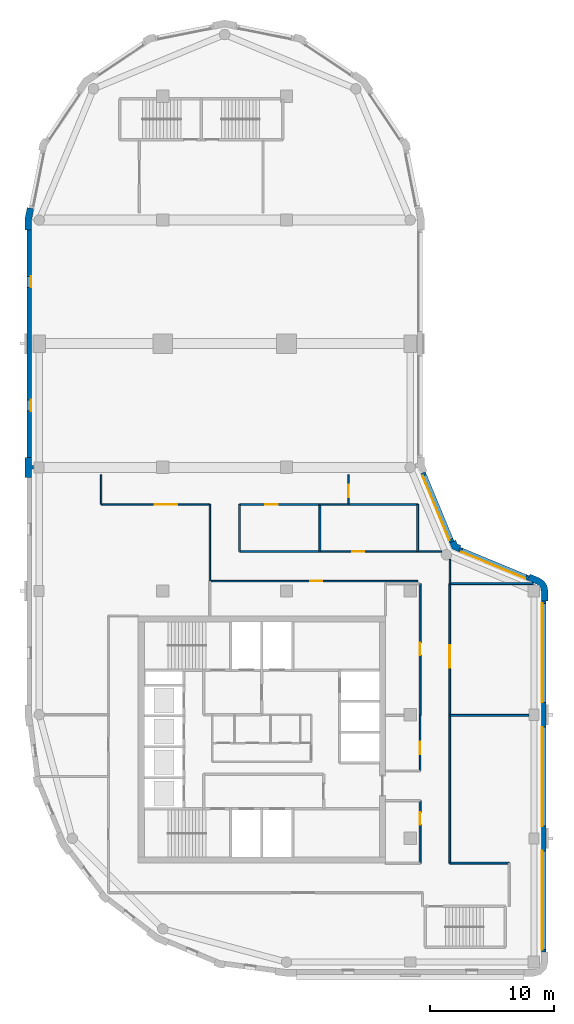
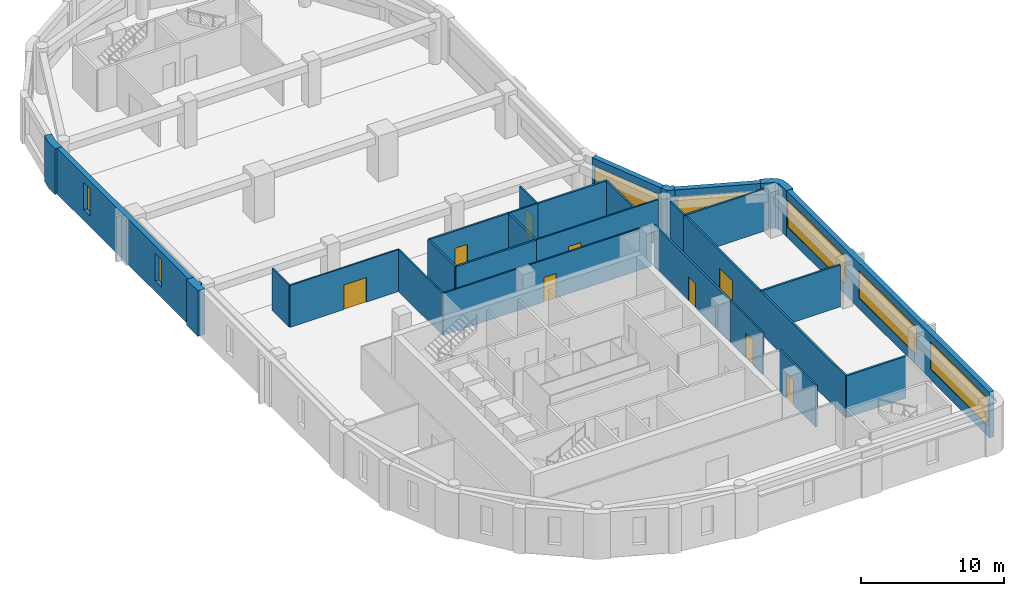
# One storey, part 4 of 8: 29 walls, 9 doors, 7 windows, 16 openings.
"""IFC4 building model written with IfcOpenShell, lengths in metres."""

from ifc_helpers import new_model, si_unit, direction, frame, frame_2d, origin, place, context, subcontext, project, spatial, polyline, rectangle, outline, extrude, material, layer, layer_set, type_object, element, fill, save


model = new_model("IFC4")

# Units and contexts
model_context = context("Model", 3, precision=1e-05, world=origin(), true_north=direction((0.0, 1.0)))
body_context = subcontext(model_context, "Body", "Model", "MODEL_VIEW")
ifc_project = project(units=[si_unit("LENGTHUNIT", "METRE"), si_unit("AREAUNIT", "SQUARE_METRE"), si_unit("VOLUMEUNIT", "CUBIC_METRE"), si_unit("PLANEANGLEUNIT", "RADIAN"), si_unit("MASSUNIT", "GRAM", prefix="KILO")], contexts=[model_context])

# Site, building, storey
site_placement = place(None, origin())
site = spatial("IfcSite", under=ifc_project, at=site_placement, CompositionType="ELEMENT")
building_placement = place(site_placement, origin())
building = spatial("IfcBuilding", under=site, at=building_placement, Name="Qaws Garden Tower", CompositionType="ELEMENT")
storey_placement = place(building_placement, frame((0.0, 0.0, 313.800048828125)))
storey = spatial("IfcBuildingStorey", under=building, at=storey_placement, Name="L76", CompositionType="ELEMENT", Elevation=313.800048828125)

# Wall
ifc_material_1 = material(Name="Clay facing brick masonry", Category="masonry")
ifc_layer_1 = layer(ifc_material_1, 0.550048828125)
ifc_layer_set_1 = layer_set([ifc_layer_1], Name="Clay facing brick masonry")
wall_type_1 = type_object("IfcWallType", Name="Brick corner pier 550 x 2400", PredefinedType="SOLIDWALL", material=ifc_layer_set_1)
placement = place(storey_placement, origin())
element("IfcWall", 1, at=placement, inside=storey, type_object=wall_type_1, Name="E-L76-pier-05", PredefinedType="SOLIDWALL", context=body_context, shape_type="SweptSolid", body=[
    extrude(outline(polyline([(41.0, 29.199951171875), (41.14990234375, 29.199951171875), (41.14990234375, 30.0), (41.0625, 30.440185546875), (40.813232421875, 30.813232421875), (40.440185546875, 31.0625), (39.700927734375, 31.36865234375), (39.6435546875, 31.22998046875), (39.490478515625, 30.860595703125), (40.2294921875, 30.554443359375), (40.42431640625, 30.42431640625), (40.554443359375, 30.2294921875), (40.60009765625, 30.0), (40.60009765625, 29.199951171875), (41.0, 29.199951171875)])), origin(), (0.0, 0.0, 1.0), 3.89990234375),
])

# Wall, openings, windows
ifc_material_2 = material(Name="Clay facing brick masonry", Category="masonry")
ifc_layer_2 = layer(ifc_material_2, 0.39990234375)
ifc_layer_set_2 = layer_set([ifc_layer_2], Name="Clay facing brick masonry")
wall_type_2 = type_object("IfcWallType", Name="Brick infill wall 400", PredefinedType="SOLIDWALL", material=ifc_layer_set_2)
wall_2_placement = place(storey_placement, frame((40.800048828125, 0.800048828125, 0.0), z_axis=(0.0, 0.0, 1.0), x_axis=(0.0, 1.0, 0.0)))
wall_2 = element("IfcWall", 2, at=wall_2_placement, inside=storey, type_object=wall_type_2, Name="E-L76-infill-02", PredefinedType="SOLIDWALL", context=body_context, shape_type="SweptSolid", body=[
    extrude(rectangle(XDim=28.39990234375, YDim=0.39990234375, at=frame_2d((14.199951171875, 0.0))), origin(), (0.0, 0.0, 1.0), 3.89990234375),
])
opening_1_placement = place(wall_2_placement, frame((0.199951171875, 0.0, 0.89990234375)))
opening_1 = element("IfcOpeningElement", 3, at=opening_1_placement, cuts=wall_2, Name="Opening W01", PredefinedType="OPENING", context=body_context, shape_type="SweptSolid", body=[
    extrude(rectangle(XDim=8.0, YDim=2.35009765625, at=frame_2d((4.0, 1.175048828125))), frame((0.0, 0.2099609375, 0.0), z_axis=(0.0, -1.0, 0.0), x_axis=(1.0, 0.0, 0.0)), (0.0, 0.0, 1.0), 0.419921875),
])
opening_2_placement = place(wall_2_placement, frame((10.199951171875, 0.0, 0.89990234375)))
opening_2 = element("IfcOpeningElement", 4, at=opening_2_placement, cuts=wall_2, Name="Opening W01", PredefinedType="OPENING", context=body_context, shape_type="SweptSolid", body=[
    extrude(rectangle(XDim=8.0, YDim=2.35009765625, at=frame_2d((4.0, 1.175048828125))), frame((0.0, 0.2099609375, 0.0), z_axis=(0.0, -1.0, 0.0), x_axis=(1.0, 0.0, 0.0)), (0.0, 0.0, 1.0), 0.419921875),
])
opening_3_placement = place(wall_2_placement, frame((20.199951171875, 0.0, 0.89990234375)))
opening_3 = element("IfcOpeningElement", 5, at=opening_3_placement, cuts=wall_2, Name="Opening W01", PredefinedType="OPENING", context=body_context, shape_type="SweptSolid", body=[
    extrude(rectangle(XDim=8.0, YDim=2.35009765625, at=frame_2d((4.0, 1.175048828125))), frame((0.0, 0.2099609375, 0.0), z_axis=(0.0, -1.0, 0.0), x_axis=(1.0, 0.0, 0.0)), (0.0, 0.0, 1.0), 0.419921875),
])
ifc_material_3 = material(Name="Aluminium framed window, clear glazing", Category="aluminium")
window_type_1 = type_object("IfcWindowType", Name="Ribbon window 8000 x 2350", PartitioningType="DOUBLE_PANEL_VERTICAL", PredefinedType="WINDOW", material=ifc_material_3)
window_1_placement = place(opening_1_placement, origin())
window_1 = element("IfcWindow", 6, at=window_1_placement, inside=storey, type_object=window_type_1, Name="E-L76-window-02-0", OverallHeight=2.35009765625, OverallWidth=8.0, PartitioningType="SINGLE_PANEL", PredefinedType="WINDOW", context=body_context, shape_type="SweptSolid", body=[
    extrude(rectangle(XDim=8.0, YDim=2.35009765625, at=frame_2d((4.0, 1.175048828125))), frame((0.0, 0.159912109375, 0.0), z_axis=(0.0, -1.0, 0.0), x_axis=(1.0, 0.0, 0.0)), (0.0, 0.0, 1.0), 0.06005859375),
])
fill(opening_1, window_1)
window_2_placement = place(opening_2_placement, origin())
window_2 = element("IfcWindow", 7, at=window_2_placement, inside=storey, type_object=window_type_1, Name="E-L76-window-03-0", OverallHeight=2.35009765625, OverallWidth=8.0, PartitioningType="SINGLE_PANEL", PredefinedType="WINDOW", context=body_context, shape_type="SweptSolid", body=[
    extrude(rectangle(XDim=8.0, YDim=2.35009765625, at=frame_2d((4.0, 1.175048828125))), frame((0.0, 0.159912109375, 0.0), z_axis=(0.0, -1.0, 0.0), x_axis=(1.0, 0.0, 0.0)), (0.0, 0.0, 1.0), 0.06005859375),
])
fill(opening_2, window_2)
window_3_placement = place(opening_3_placement, origin())
window_3 = element("IfcWindow", 8, at=window_3_placement, inside=storey, type_object=window_type_1, Name="E-L76-window-04-0", OverallHeight=2.35009765625, OverallWidth=8.0, PartitioningType="SINGLE_PANEL", PredefinedType="WINDOW", context=body_context, shape_type="SweptSolid", body=[
    extrude(rectangle(XDim=8.0, YDim=2.35009765625, at=frame_2d((4.0, 1.175048828125))), frame((0.0, 0.159912109375, 0.0), z_axis=(0.0, -1.0, 0.0), x_axis=(1.0, 0.0, 0.0)), (0.0, 0.0, 1.0), 0.06005859375),
])
fill(opening_3, window_3)

# Wall, opening, window
wall_3_placement = place(storey_placement, frame((39.56689453125, 31.04541015625, 0.0), z_axis=(0.0, 0.0, 1.0), x_axis=(-0.923891000409, 0.382655745237, 0.0)))
wall_3 = element("IfcWall", 9, at=wall_3_placement, inside=storey, type_object=wall_type_2, Name="E-L76-infill-05", PredefinedType="SOLIDWALL", context=body_context, shape_type="SweptSolid", body=[
    extrude(rectangle(XDim=6.053466796875, YDim=0.39990234375, at=frame_2d((3.02685546875, 0.0))), origin(), (0.0, 0.0, 1.0), 3.89990234375),
])
opening_4_placement = place(wall_3_placement, frame((0.226806640625, 0.0, 0.89990234375)))
opening_4 = element("IfcOpeningElement", 10, at=opening_4_placement, cuts=wall_3, Name="Opening W04", PredefinedType="OPENING", context=body_context, shape_type="SweptSolid", body=[
    extrude(rectangle(XDim=5.60009765625, YDim=2.35009765625, at=frame_2d((2.800048828125, 1.175048828125))), frame((0.0, 0.2099609375, 0.0), z_axis=(0.0, -1.0, 0.0), x_axis=(1.0, 0.0, 0.0)), (0.0, 0.0, 1.0), 0.419921875),
])
ifc_material_4 = material(Name="Aluminium framed window, clear glazing", Category="aluminium")
window_type_2 = type_object("IfcWindowType", Name="Ribbon window 5600 x 2350", PartitioningType="DOUBLE_PANEL_VERTICAL", PredefinedType="WINDOW", material=ifc_material_4)
window_4_placement = place(opening_4_placement, origin())
window_4 = element("IfcWindow", 11, at=window_4_placement, inside=storey, type_object=window_type_2, Name="E-L76-window-05-0", OverallHeight=2.35009765625, OverallWidth=5.60009765625, PartitioningType="SINGLE_PANEL", PredefinedType="WINDOW", context=body_context, shape_type="SweptSolid", body=[
    extrude(rectangle(XDim=5.60009765625, YDim=2.35009765625, at=frame_2d((2.800048828125, 1.175048828125))), frame((0.0, 0.159912109375, 0.0), z_axis=(0.0, -1.0, 0.0), x_axis=(1.0, 0.0, 0.0)), (0.0, 0.0, 1.0), 0.06005859375),
])
fill(opening_4, window_4)

wall_4_placement = place(storey_placement, frame((33.36181640625, 33.97412109375, 0.0), z_axis=(0.0, 0.0, 1.0), x_axis=(-0.382655745237, 0.923891000409, 0.0)))
wall_4 = element("IfcWall", 12, at=wall_4_placement, inside=storey, type_object=wall_type_2, Name="E-L76-infill-06", PredefinedType="SOLIDWALL", context=body_context, shape_type="SweptSolid", body=[
    extrude(rectangle(XDim=6.053466796875, YDim=0.39990234375, at=frame_2d((3.02685546875, 0.0))), origin(), (0.0, 0.0, 1.0), 3.89990234375),
])
opening_5_placement = place(wall_4_placement, frame((0.226806640625, 0.0, 0.89990234375)))
opening_5 = element("IfcOpeningElement", 13, at=opening_5_placement, cuts=wall_4, Name="Opening W04", PredefinedType="OPENING", context=body_context, shape_type="SweptSolid", body=[
    extrude(rectangle(XDim=5.60009765625, YDim=2.35009765625, at=frame_2d((2.800048828125, 1.175048828125))), frame((0.0, 0.2099609375, 0.0), z_axis=(0.0, -1.0, 0.0), x_axis=(1.0, 0.0, 0.0)), (0.0, 0.0, 1.0), 0.419921875),
])
window_5_placement = place(opening_5_placement, origin())
window_5 = element("IfcWindow", 14, at=window_5_placement, inside=storey, type_object=window_type_2, Name="E-L76-window-06-0", OverallHeight=2.35009765625, OverallWidth=5.60009765625, PartitioningType="SINGLE_PANEL", PredefinedType="WINDOW", context=body_context, shape_type="SweptSolid", body=[
    extrude(rectangle(XDim=5.60009765625, YDim=2.35009765625, at=frame_2d((2.800048828125, 1.175048828125))), frame((0.0, 0.159912109375, 0.0), z_axis=(0.0, -1.0, 0.0), x_axis=(1.0, 0.0, 0.0)), (0.0, 0.0, 1.0), 0.06005859375),
])
fill(opening_5, window_5)

# Wall, openings, windows
wall_5_placement = place(storey_placement, frame((-0.800048828125, 59.199951171875, 0.0), z_axis=(0.0, 0.0, 1.0), x_axis=(0.0, -1.0, 0.0)))
wall_5 = element("IfcWall", 15, at=wall_5_placement, inside=storey, type_object=wall_type_2, Name="E-L76-infill-17", PredefinedType="SOLIDWALL", context=body_context, shape_type="SweptSolid", body=[
    extrude(rectangle(XDim=18.39990234375, YDim=0.39990234375, at=frame_2d((9.199951171875, 0.0))), origin(), (0.0, 0.0, 1.0), 3.89990234375),
])
opening_6_placement = place(wall_5_placement, frame((3.75, 0.0, 0.89990234375)))
opening_6 = element("IfcOpeningElement", 16, at=opening_6_placement, cuts=wall_5, Name="Opening W09", PredefinedType="OPENING", context=body_context, shape_type="SweptSolid", body=[
    extrude(rectangle(XDim=0.89990234375, YDim=2.35009765625, at=frame_2d((0.449951171875, 1.175048828125))), frame((0.0, 0.2099609375, 0.0), z_axis=(0.0, -1.0, 0.0), x_axis=(1.0, 0.0, 0.0)), (0.0, 0.0, 1.0), 0.419921875),
])
opening_7_placement = place(wall_5_placement, frame((13.75, 0.0, 0.89990234375)))
opening_7 = element("IfcOpeningElement", 17, at=opening_7_placement, cuts=wall_5, Name="Opening W09", PredefinedType="OPENING", context=body_context, shape_type="SweptSolid", body=[
    extrude(rectangle(XDim=0.89990234375, YDim=2.35009765625, at=frame_2d((0.449951171875, 1.175048828125))), frame((0.0, 0.2099609375, 0.0), z_axis=(0.0, -1.0, 0.0), x_axis=(1.0, 0.0, 0.0)), (0.0, 0.0, 1.0), 0.419921875),
])
ifc_material_5 = material(Name="Aluminium framed window, clear glazing", Category="aluminium")
window_type_3 = type_object("IfcWindowType", Name="Slit window 900 x 2350", PartitioningType="SINGLE_PANEL", PredefinedType="WINDOW", material=ifc_material_5)
window_6_placement = place(opening_6_placement, origin())
window_6 = element("IfcWindow", 18, at=window_6_placement, inside=storey, type_object=window_type_3, Name="E-L76-window-17-0", OverallHeight=2.35009765625, OverallWidth=0.89990234375, PartitioningType="SINGLE_PANEL", PredefinedType="WINDOW", context=body_context, shape_type="SweptSolid", body=[
    extrude(rectangle(XDim=0.89990234375, YDim=2.35009765625, at=frame_2d((0.449951171875, 1.175048828125))), frame((0.0, 0.159912109375, 0.0), z_axis=(0.0, -1.0, 0.0), x_axis=(1.0, 0.0, 0.0)), (0.0, 0.0, 1.0), 0.06005859375),
])
fill(opening_6, window_6)
window_7_placement = place(opening_7_placement, origin())
window_7 = element("IfcWindow", 19, at=window_7_placement, inside=storey, type_object=window_type_3, Name="E-L76-window-18-0", OverallHeight=2.35009765625, OverallWidth=0.89990234375, PartitioningType="SINGLE_PANEL", PredefinedType="WINDOW", context=body_context, shape_type="SweptSolid", body=[
    extrude(rectangle(XDim=0.89990234375, YDim=2.35009765625, at=frame_2d((0.449951171875, 1.175048828125))), frame((0.0, 0.159912109375, 0.0), z_axis=(0.0, -1.0, 0.0), x_axis=(1.0, 0.0, 0.0)), (0.0, 0.0, 1.0), 0.06005859375),
])
fill(opening_7, window_7)

# Walls
ifc_material_6 = material(Name="Clay facing brick masonry", Category="masonry")
ifc_layer_3 = layer(ifc_material_6, 0.550048828125)
ifc_layer_set_3 = layer_set([ifc_layer_3], Name="Clay facing brick masonry")
wall_type_3 = type_object("IfcWallType", Name="Brick pier 550 x 1600", PredefinedType="SOLIDWALL", material=ifc_layer_set_3)
element("IfcWall", 20, at=placement, inside=storey, type_object=wall_type_3, Name="E-L76-pier-06", PredefinedType="SOLIDWALL", context=body_context, shape_type="SweptSolid", body=[
    extrude(outline(polyline([(34.05078125, 33.546630859375), (34.108154296875, 33.685302734375), (33.80908203125, 33.80908203125), (33.685302734375, 34.108154296875), (33.546630859375, 34.05078125), (33.177001953125, 33.897705078125), (33.38818359375, 33.38818359375), (33.897705078125, 33.177001953125), (34.05078125, 33.546630859375)])), origin(), (0.0, 0.0, 1.0), 3.89990234375),
])
element("IfcWall", 21, at=placement, inside=storey, type_object=wall_type_3, Name="E-L76-pier-17", PredefinedType="SOLIDWALL", context=body_context, shape_type="SweptSolid", body=[
    extrude(outline(polyline([(-0.82470703125, 60.979736328125), (-0.971923828125, 61.009033203125), (-1.14990234375, 60.11328125), (-1.14990234375, 59.199951171875), (-1.0, 59.199951171875), (-0.60009765625, 59.199951171875), (-0.60009765625, 60.05908203125), (-0.432373046875, 60.901611328125), (-0.82470703125, 60.979736328125)])), origin(), (0.0, 0.0, 1.0), 3.89990234375),
])
element("IfcWall", 22, at=placement, inside=storey, type_object=wall_type_3, Name="E-L76-pier-19", PredefinedType="SOLIDWALL", context=body_context, shape_type="SweptSolid", body=[
    extrude(outline(polyline([(-0.60009765625, 39.199951171875), (-0.60009765625, 39.85009765625), (-0.449951171875, 39.85009765625), (-0.449951171875, 40.14990234375), (-0.60009765625, 40.14990234375), (-0.60009765625, 40.800048828125), (-1.0, 40.800048828125), (-1.14990234375, 40.800048828125), (-1.14990234375, 40.0), (-1.14990234375, 39.199951171875), (-1.0, 39.199951171875), (-0.60009765625, 39.199951171875)])), origin(), (0.0, 0.0, 1.0), 3.89990234375),
])
ifc_material_7 = material(Name="Glass and aluminium framing", Category="aluminium")
ifc_layer_4 = layer(ifc_material_7, 0.1201171875)
ifc_layer_set_4 = layer_set([ifc_layer_4], Name="Glass and aluminium framing")
wall_type_4 = type_object("IfcWallType", Name="GLAZED PARTITION 120 EI 30", PredefinedType="PARTITIONING", material=ifc_layer_set_4)
wall_9_placement = place(storey_placement, frame((5.0, 37.0, 0.0), z_axis=(0.0, 0.0, 1.0), x_axis=(0.0, 1.0, 0.0)))
element("IfcWall", 23, at=wall_9_placement, inside=storey, type_object=wall_type_4, Name="O-L76-wall-027", PredefinedType="PARTITIONING", context=body_context, shape_type="SweptSolid", body=[
    extrude(rectangle(XDim=2.39990234375, YDim=0.1201171875, at=frame_2d((1.199951171875, 0.0))), origin(), (0.0, 0.0, 1.0), 3.579833984375),
])
wall_10_placement = place(storey_placement, frame((13.800048828125, 30.800048828125, 0.0), z_axis=(0.0, 0.0, 1.0), x_axis=(0.0, 1.0, 0.0)))
element("IfcWall", 24, at=wall_10_placement, inside=storey, type_object=wall_type_4, Name="O-L76-wall-029", PredefinedType="PARTITIONING", context=body_context, shape_type="SweptSolid", body=[
    extrude(rectangle(XDim=6.199951171875, YDim=0.1201171875, at=frame_2d((3.10009765625, 0.0))), origin(), (0.0, 0.0, 1.0), 3.579833984375),
])

# Wall, opening, door
wall_11_placement = place(storey_placement, frame((25.0, 37.0, 0.0), z_axis=(0.0, 0.0, 1.0), x_axis=(0.0, 1.0, 0.0)))
wall_11 = element("IfcWall", 25, at=wall_11_placement, inside=storey, type_object=wall_type_4, Name="O-L76-wall-030", PredefinedType="PARTITIONING", context=body_context, shape_type="SweptSolid", body=[
    extrude(rectangle(XDim=2.39990234375, YDim=0.1201171875, at=frame_2d((1.199951171875, 0.0))), origin(), (0.0, 0.0, 1.0), 3.579833984375),
])
opening_8_placement = place(wall_11_placement, frame((0.60009765625, 0.0, 0.0)))
opening_8 = element("IfcOpeningElement", 26, at=opening_8_placement, cuts=wall_11, Name="Opening C7P04", PredefinedType="OPENING", context=body_context, shape_type="SweptSolid", body=[
    extrude(rectangle(XDim=1.0, YDim=2.10009765625, at=frame_2d((0.5, 1.050048828125))), frame((0.0, 0.070068359375, 0.0), z_axis=(0.0, -1.0, 0.0), x_axis=(1.0, 0.0, 0.0)), (0.0, 0.0, 1.0), 0.14013671875),
])
ifc_material_8 = material(Name="Timber door leaf", Category="wood")
door_type_1 = type_object("IfcDoorType", Name="TENANCY ENTRANCE DOOR 1000 X 2100", OperationType="SINGLE_SWING_LEFT", PredefinedType="DOOR", material=ifc_material_8)
door_1_placement = place(opening_8_placement, frame((1.0, 0.0, 0.0), z_axis=(0.0, 0.0, 1.0), x_axis=(-1.0, 0.0, 0.0)))
door_1 = element("IfcDoor", 27, at=door_1_placement, inside=storey, type_object=door_type_1, Name="O-L76-door-004", OperationType="SINGLE_SWING_RIGHT", OverallHeight=2.10009765625, OverallWidth=1.0, PredefinedType="DOOR", context=body_context, shape_type="SweptSolid", body=[
    extrude(rectangle(XDim=1.0, YDim=2.10009765625, at=frame_2d((0.5, 1.050048828125))), frame((0.0, 0.02490234375, 0.0), z_axis=(0.0, -1.0, 0.0), x_axis=(1.0, 0.0, 0.0)), (0.0, 0.0, 1.0), 0.050048828125),
])
fill(opening_8, door_1)

wall_12_placement = place(storey_placement, frame((30.800048828125, 15.449951171875, 0.0), z_axis=(0.0, 0.0, 1.0), x_axis=(0.0, 1.0, 0.0)))
wall_12 = element("IfcWall", 28, at=wall_12_placement, inside=storey, type_object=wall_type_4, Name="O-L76-wall-031", PredefinedType="PARTITIONING", context=body_context, shape_type="SweptSolid", body=[
    extrude(rectangle(XDim=4.5, YDim=0.1201171875, at=frame_2d((2.25, 0.0))), origin(), (0.0, 0.0, 1.0), 3.579833984375),
])
opening_9_placement = place(wall_12_placement, frame((1.35009765625, 0.0, 0.0)))
opening_9 = element("IfcOpeningElement", 29, at=opening_9_placement, cuts=wall_12, Name="Opening C7P07", PredefinedType="OPENING", context=body_context, shape_type="SweptSolid", body=[
    extrude(rectangle(XDim=1.0, YDim=2.10009765625, at=frame_2d((0.5, 1.050048828125))), frame((0.0, 0.070068359375, 0.0), z_axis=(0.0, -1.0, 0.0), x_axis=(1.0, 0.0, 0.0)), (0.0, 0.0, 1.0), 0.14013671875),
])
door_2_placement = place(opening_9_placement, origin())
door_2 = element("IfcDoor", 30, at=door_2_placement, inside=storey, type_object=door_type_1, Name="O-L76-door-007", OperationType="SINGLE_SWING_LEFT", OverallHeight=2.10009765625, OverallWidth=1.0, PredefinedType="DOOR", context=body_context, shape_type="SweptSolid", body=[
    extrude(rectangle(XDim=1.0, YDim=2.10009765625, at=frame_2d((0.5, 1.050048828125))), frame((0.0, 0.02490234375, 0.0), z_axis=(0.0, -1.0, 0.0), x_axis=(1.0, 0.0, 0.0)), (0.0, 0.0, 1.0), 0.050048828125),
])
fill(opening_9, door_2)

# Wall
wall_13_placement = place(storey_placement, frame((33.199951171875, 30.60009765625, 0.0), z_axis=(0.0, 0.0, 1.0), x_axis=(0.0, 1.0, 0.0)))
element("IfcWall", 31, at=wall_13_placement, inside=storey, type_object=wall_type_4, Name="O-L76-wall-032", PredefinedType="PARTITIONING", context=body_context, shape_type="SweptSolid", body=[
    extrude(rectangle(XDim=1.9599609375, YDim=0.1201171875, at=frame_2d((0.97998046875, 0.0))), origin(), (0.0, 0.0, 1.0), 3.579833984375),
])

# Wall, opening, door
wall_14_placement = place(storey_placement, frame((13.802001953125, 30.800048828125, 0.0), z_axis=(0.0, 0.0, 1.0), x_axis=(1.0, 0.0, 0.0)))
wall_14 = element("IfcWall", 32, at=wall_14_placement, inside=storey, type_object=wall_type_4, Name="O-L76-wall-035", PredefinedType="PARTITIONING", context=body_context, shape_type="SweptSolid", body=[
    extrude(rectangle(XDim=16.797119140625, YDim=0.1201171875, at=frame_2d((8.3984375, 0.0))), origin(), (0.0, 0.0, 1.0), 3.579833984375),
])
opening_10_placement = place(wall_14_placement, frame((8.10009765625, 0.0, 0.0)))
opening_10 = element("IfcOpeningElement", 33, at=opening_10_placement, cuts=wall_14, Name="Opening C7P05", PredefinedType="OPENING", context=body_context, shape_type="SweptSolid", body=[
    extrude(rectangle(XDim=1.0, YDim=2.10009765625, at=frame_2d((0.5, 1.050048828125))), frame((0.0, 0.070068359375, 0.0), z_axis=(0.0, -1.0, 0.0), x_axis=(1.0, 0.0, 0.0)), (0.0, 0.0, 1.0), 0.14013671875),
])
door_3_placement = place(opening_10_placement, frame((1.0, 0.0, 0.0), z_axis=(0.0, 0.0, 1.0), x_axis=(-1.0, 0.0, 0.0)))
door_3 = element("IfcDoor", 34, at=door_3_placement, inside=storey, type_object=door_type_1, Name="O-L76-door-005", OperationType="SINGLE_SWING_LEFT", OverallHeight=2.10009765625, OverallWidth=1.0, PredefinedType="DOOR", context=body_context, shape_type="SweptSolid", body=[
    extrude(rectangle(XDim=1.0, YDim=2.10009765625, at=frame_2d((0.5, 1.050048828125))), frame((0.0, 0.02490234375, 0.0), z_axis=(0.0, -1.0, 0.0), x_axis=(1.0, 0.0, 0.0)), (0.0, 0.0, 1.0), 0.050048828125),
])
fill(opening_10, door_3)

wall_15_placement = place(storey_placement, frame((22.699951171875, 33.199951171875, 0.0), z_axis=(0.0, 0.0, 1.0), x_axis=(1.0, 0.0, 0.0)))
wall_15 = element("IfcWall", 35, at=wall_15_placement, inside=storey, type_object=wall_type_4, Name="O-L76-wall-036", PredefinedType="PARTITIONING", context=body_context, shape_type="SweptSolid", body=[
    extrude(rectangle(XDim=9.860107421875, YDim=0.1201171875, at=frame_2d((4.93017578125, 0.0))), origin(), (0.0, 0.0, 1.0), 3.579833984375),
])
opening_11_placement = place(wall_15_placement, frame((2.60009765625, 0.0, 0.0)))
opening_11 = element("IfcOpeningElement", 36, at=opening_11_placement, cuts=wall_15, Name="Opening C7P13", PredefinedType="OPENING", context=body_context, shape_type="SweptSolid", body=[
    extrude(rectangle(XDim=1.0, YDim=2.10009765625, at=frame_2d((0.5, 1.050048828125))), frame((0.0, 0.070068359375, 0.0), z_axis=(0.0, -1.0, 0.0), x_axis=(1.0, 0.0, 0.0)), (0.0, 0.0, 1.0), 0.14013671875),
])
door_4_placement = place(opening_11_placement, origin())
door_4 = element("IfcDoor", 37, at=door_4_placement, inside=storey, type_object=door_type_1, Name="O-L76-door-013", OperationType="SINGLE_SWING_RIGHT", OverallHeight=2.10009765625, OverallWidth=1.0, PredefinedType="DOOR", context=body_context, shape_type="SweptSolid", body=[
    extrude(rectangle(XDim=1.0, YDim=2.10009765625, at=frame_2d((0.5, 1.050048828125))), frame((0.0, 0.02490234375, 0.0), z_axis=(0.0, -1.0, 0.0), x_axis=(1.0, 0.0, 0.0)), (0.0, 0.0, 1.0), 0.050048828125),
])
fill(opening_11, door_4)

wall_16_placement = place(storey_placement, frame((5.0, 37.0, 0.0), z_axis=(0.0, 0.0, 1.0), x_axis=(1.0, 0.0, 0.0)))
wall_16 = element("IfcWall", 38, at=wall_16_placement, inside=storey, type_object=wall_type_4, Name="O-L76-wall-037", PredefinedType="PARTITIONING", context=body_context, shape_type="SweptSolid", body=[
    extrude(rectangle(XDim=8.800048828125, YDim=0.1201171875, at=frame_2d((4.39990234375, 0.0))), origin(), (0.0, 0.0, 1.0), 3.579833984375),
])
opening_12_placement = place(wall_16_placement, frame((4.35009765625, 0.0, 0.0)))
opening_12 = element("IfcOpeningElement", 39, at=opening_12_placement, cuts=wall_16, Name="Opening C7P11", PredefinedType="OPENING", context=body_context, shape_type="SweptSolid", body=[
    extrude(rectangle(XDim=1.800048828125, YDim=2.10009765625, at=frame_2d((0.89990234375, 1.050048828125))), frame((0.0, 0.070068359375, 0.0), z_axis=(0.0, -1.0, 0.0), x_axis=(1.0, 0.0, 0.0)), (0.0, 0.0, 1.0), 0.14013671875),
])
ifc_material_9 = material(Name="Timber door leaf", Category="wood")
door_type_2 = type_object("IfcDoorType", Name="DOUBLE DOOR 1800 X 2100", OperationType="DOUBLE_DOOR_SINGLE_SWING", PredefinedType="DOOR", material=ifc_material_9)
door_5_placement = place(opening_12_placement, frame((1.800048828125, 0.0, 0.0), z_axis=(0.0, 0.0, 1.0), x_axis=(-1.0, 0.0, 0.0)))
door_5 = element("IfcDoor", 40, at=door_5_placement, inside=storey, type_object=door_type_2, Name="O-L76-door-011", OperationType="DOUBLE_DOOR_SINGLE_SWING", OverallHeight=2.10009765625, OverallWidth=1.800048828125, PredefinedType="DOOR", context=body_context, shape_type="SweptSolid", body=[
    extrude(rectangle(XDim=1.800048828125, YDim=2.10009765625, at=frame_2d((0.89990234375, 1.050048828125))), frame((0.0, 0.02490234375, 0.0), z_axis=(0.0, -1.0, 0.0), x_axis=(1.0, 0.0, 0.0)), (0.0, 0.0, 1.0), 0.050048828125),
])
fill(opening_12, door_5)

# Walls
wall_17_placement = place(storey_placement, frame((22.699951171875, 37.0, 0.0), z_axis=(0.0, 0.0, 1.0), x_axis=(1.0, 0.0, 0.0)))
element("IfcWall", 41, at=wall_17_placement, inside=storey, type_object=wall_type_4, Name="O-L76-wall-038", PredefinedType="PARTITIONING", context=body_context, shape_type="SweptSolid", body=[
    extrude(rectangle(XDim=2.300048828125, YDim=0.1201171875, at=frame_2d((1.14990234375, 0.0))), origin(), (0.0, 0.0, 1.0), 3.579833984375),
])
ifc_material_10 = material(Name="Gypsum board partition")
ifc_layer_5 = layer(ifc_material_10, 0.14990234375)
ifc_layer_set_5 = layer_set([ifc_layer_5], Name="Gypsum board partition")
wall_type_5 = type_object("IfcWallType", Name="PARTITION 150 EI 60", PredefinedType="PARTITIONING", material=ifc_layer_set_5)
for number, where, z_axis, x_axis, name in (
    (42, (16.199951171875, 33.199951171875, 0.0), (0.0, 0.0, 1.0), (0.0, 1.0, 0.0), "O-L76-wall-004"),
    (43, (22.699951171875, 33.199951171875, 0.0), (0.0, 0.0, 1.0), (0.0, 1.0, 0.0), "O-L76-wall-006"),
    (44, (30.60009765625, 33.199951171875, 0.0), (0.0, 0.0, 1.0), (0.0, 1.0, 0.0), "O-L76-wall-008"),
):
    element("IfcWall", number, at=place(storey_placement, frame(where, z_axis=z_axis, x_axis=x_axis)), inside=storey, type_object=wall_type_5, Name=name, PredefinedType="PARTITIONING", context=body_context, shape_type="SweptSolid", body=[
        extrude(rectangle(XDim=3.800048828125, YDim=0.14990234375, at=frame_2d((1.89990234375, 0.0))), origin(), (0.0, 0.0, 1.0), 3.579833984375),
    ])

# Wall, opening, door
wall_18_placement = place(storey_placement, frame((30.800048828125, 8.0, 0.0), z_axis=(0.0, 0.0, 1.0), x_axis=(0.0, 1.0, 0.0)))
wall_18 = element("IfcWall", 45, at=wall_18_placement, inside=storey, type_object=wall_type_5, Name="O-L76-wall-009", PredefinedType="PARTITIONING", context=body_context, shape_type="SweptSolid", body=[
    extrude(rectangle(XDim=5.050048828125, YDim=0.14990234375, at=frame_2d((2.52490234375, 0.0))), origin(), (0.0, 0.0, 1.0), 3.579833984375),
])
opening_13_placement = place(wall_18_placement, frame((3.10009765625, 0.0, 0.0)))
opening_13 = element("IfcOpeningElement", 46, at=opening_13_placement, cuts=wall_18, Name="Opening C7P10", PredefinedType="OPENING", context=body_context, shape_type="SweptSolid", body=[
    extrude(rectangle(XDim=1.0, YDim=2.10009765625, at=frame_2d((0.5, 1.050048828125))), frame((0.0, 0.0849609375, 0.0), z_axis=(0.0, -1.0, 0.0), x_axis=(1.0, 0.0, 0.0)), (0.0, 0.0, 1.0), 0.169921875),
])
door_6_placement = place(opening_13_placement, origin())
door_6 = element("IfcDoor", 47, at=door_6_placement, inside=storey, type_object=door_type_1, Name="O-L76-door-010", OperationType="SINGLE_SWING_RIGHT", OverallHeight=2.10009765625, OverallWidth=1.0, PredefinedType="DOOR", context=body_context, shape_type="SweptSolid", body=[
    extrude(rectangle(XDim=1.0, YDim=2.10009765625, at=frame_2d((0.5, 1.050048828125))), frame((0.0, 0.02490234375, 0.0), z_axis=(0.0, -1.0, 0.0), x_axis=(1.0, 0.0, 0.0)), (0.0, 0.0, 1.0), 0.050048828125),
])
fill(opening_13, door_6)

wall_19_placement = place(storey_placement, frame((30.800048828125, 19.949951171875, 0.0), z_axis=(0.0, 0.0, 1.0), x_axis=(0.0, 1.0, 0.0)))
wall_19 = element("IfcWall", 48, at=wall_19_placement, inside=storey, type_object=wall_type_5, Name="O-L76-wall-010", PredefinedType="PARTITIONING", context=body_context, shape_type="SweptSolid", body=[
    extrude(rectangle(XDim=10.650146484375, YDim=0.14990234375, at=frame_2d((5.3251953125, 0.0))), origin(), (0.0, 0.0, 1.0), 3.579833984375),
])
opening_14_placement = place(wall_19_placement, frame((4.85009765625, 0.0, 0.0)))
opening_14 = element("IfcOpeningElement", 49, at=opening_14_placement, cuts=wall_19, Name="Opening C7P08", PredefinedType="OPENING", context=body_context, shape_type="SweptSolid", body=[
    extrude(rectangle(XDim=1.0, YDim=2.10009765625, at=frame_2d((0.5, 1.050048828125))), frame((0.0, 0.0849609375, 0.0), z_axis=(0.0, -1.0, 0.0), x_axis=(1.0, 0.0, 0.0)), (0.0, 0.0, 1.0), 0.169921875),
])
door_7_placement = place(opening_14_placement, origin())
door_7 = element("IfcDoor", 50, at=door_7_placement, inside=storey, type_object=door_type_1, Name="O-L76-door-008", OperationType="SINGLE_SWING_RIGHT", OverallHeight=2.10009765625, OverallWidth=1.0, PredefinedType="DOOR", context=body_context, shape_type="SweptSolid", body=[
    extrude(rectangle(XDim=1.0, YDim=2.10009765625, at=frame_2d((0.5, 1.050048828125))), frame((0.0, 0.02490234375, 0.0), z_axis=(0.0, -1.0, 0.0), x_axis=(1.0, 0.0, 0.0)), (0.0, 0.0, 1.0), 0.050048828125),
])
fill(opening_14, door_7)

wall_20_placement = place(storey_placement, frame((33.199951171875, 8.0, 0.0), z_axis=(0.0, 0.0, 1.0), x_axis=(0.0, 1.0, 0.0)))
wall_20 = element("IfcWall", 51, at=wall_20_placement, inside=storey, type_object=wall_type_5, Name="O-L76-wall-012", PredefinedType="PARTITIONING", context=body_context, shape_type="SweptSolid", body=[
    extrude(rectangle(XDim=22.60009765625, YDim=0.14990234375, at=frame_2d((11.300048828125, 0.0))), origin(), (0.0, 0.0, 1.0), 3.579833984375),
])
opening_15_placement = place(wall_20_placement, frame((15.800048828125, 0.0, 0.0)))
opening_15 = element("IfcOpeningElement", 52, at=opening_15_placement, cuts=wall_20, Name="Opening C7P09", PredefinedType="OPENING", context=body_context, shape_type="SweptSolid", body=[
    extrude(rectangle(XDim=1.800048828125, YDim=2.10009765625, at=frame_2d((0.89990234375, 1.050048828125))), frame((0.0, 0.0849609375, 0.0), z_axis=(0.0, -1.0, 0.0), x_axis=(1.0, 0.0, 0.0)), (0.0, 0.0, 1.0), 0.169921875),
])
door_8_placement = place(opening_15_placement, frame((1.800048828125, 0.0, 0.0), z_axis=(0.0, 0.0, 1.0), x_axis=(-1.0, 0.0, 0.0)))
door_8 = element("IfcDoor", 53, at=door_8_placement, inside=storey, type_object=door_type_2, Name="O-L76-door-009", OperationType="DOUBLE_DOOR_SINGLE_SWING", OverallHeight=2.10009765625, OverallWidth=1.800048828125, PredefinedType="DOOR", context=body_context, shape_type="SweptSolid", body=[
    extrude(rectangle(XDim=1.800048828125, YDim=2.10009765625, at=frame_2d((0.89990234375, 1.050048828125))), frame((0.0, 0.02490234375, 0.0), z_axis=(0.0, -1.0, 0.0), x_axis=(1.0, 0.0, 0.0)), (0.0, 0.0, 1.0), 0.050048828125),
])
fill(opening_15, door_8)

# Walls
wall_21_placement = place(storey_placement, frame((33.199951171875, 8.0, 0.0), z_axis=(0.0, 0.0, 1.0), x_axis=(1.0, 0.0, 0.0)))
element("IfcWall", 54, at=wall_21_placement, inside=storey, type_object=wall_type_5, Name="O-L76-wall-016", PredefinedType="PARTITIONING", context=body_context, shape_type="SweptSolid", body=[
    extrude(rectangle(XDim=4.800048828125, YDim=0.14990234375, at=frame_2d((2.39990234375, 0.0))), origin(), (0.0, 0.0, 1.0), 3.579833984375),
])
wall_22_placement = place(storey_placement, frame((33.199951171875, 19.949951171875, 0.0), z_axis=(0.0, 0.0, 1.0), x_axis=(1.0, 0.0, 0.0)))
element("IfcWall", 55, at=wall_22_placement, inside=storey, type_object=wall_type_5, Name="O-L76-wall-020", PredefinedType="PARTITIONING", context=body_context, shape_type="SweptSolid", body=[
    extrude(rectangle(XDim=6.400146484375, YDim=0.14990234375, at=frame_2d((3.2001953125, 0.0))), origin(), (0.0, 0.0, 1.0), 3.579833984375),
])
wall_23_placement = place(storey_placement, frame((33.199951171875, 30.60009765625, 0.0), z_axis=(0.0, 0.0, 1.0), x_axis=(1.0, 0.0, 0.0)))
element("IfcWall", 56, at=wall_23_placement, inside=storey, type_object=wall_type_5, Name="O-L76-wall-023", PredefinedType="PARTITIONING", context=body_context, shape_type="SweptSolid", body=[
    extrude(rectangle(XDim=6.73828125, YDim=0.14990234375, at=frame_2d((3.369140625, 0.0))), origin(), (0.0, 0.0, 1.0), 3.579833984375),
])
wall_24_placement = place(storey_placement, frame((16.199951171875, 33.199951171875, 0.0), z_axis=(0.0, 0.0, 1.0), x_axis=(1.0, 0.0, 0.0)))
element("IfcWall", 57, at=wall_24_placement, inside=storey, type_object=wall_type_5, Name="O-L76-wall-024", PredefinedType="PARTITIONING", context=body_context, shape_type="SweptSolid", body=[
    extrude(rectangle(XDim=6.5, YDim=0.14990234375, at=frame_2d((3.25, 0.0))), origin(), (0.0, 0.0, 1.0), 3.579833984375),
])

# Wall, opening, door
wall_25_placement = place(storey_placement, frame((16.199951171875, 37.0, 0.0), z_axis=(0.0, 0.0, 1.0), x_axis=(1.0, 0.0, 0.0)))
wall_25 = element("IfcWall", 58, at=wall_25_placement, inside=storey, type_object=wall_type_5, Name="O-L76-wall-025", PredefinedType="PARTITIONING", context=body_context, shape_type="SweptSolid", body=[
    extrude(rectangle(XDim=6.5, YDim=0.14990234375, at=frame_2d((3.25, 0.0))), origin(), (0.0, 0.0, 1.0), 3.579833984375),
])
opening_16_placement = place(wall_25_placement, frame((2.10009765625, 0.0, 0.0)))
opening_16 = element("IfcOpeningElement", 59, at=opening_16_placement, cuts=wall_25, Name="Opening C7P12", PredefinedType="OPENING", context=body_context, shape_type="SweptSolid", body=[
    extrude(rectangle(XDim=1.0, YDim=2.10009765625, at=frame_2d((0.5, 1.050048828125))), frame((0.0, 0.0849609375, 0.0), z_axis=(0.0, -1.0, 0.0), x_axis=(1.0, 0.0, 0.0)), (0.0, 0.0, 1.0), 0.169921875),
])
door_9_placement = place(opening_16_placement, frame((1.0, 0.0, 0.0), z_axis=(0.0, 0.0, 1.0), x_axis=(-1.0, 0.0, 0.0)))
door_9 = element("IfcDoor", 60, at=door_9_placement, inside=storey, type_object=door_type_1, Name="O-L76-door-012", OperationType="SINGLE_SWING_LEFT", OverallHeight=2.10009765625, OverallWidth=1.0, PredefinedType="DOOR", context=body_context, shape_type="SweptSolid", body=[
    extrude(rectangle(XDim=1.0, YDim=2.10009765625, at=frame_2d((0.5, 1.050048828125))), frame((0.0, 0.02490234375, 0.0), z_axis=(0.0, -1.0, 0.0), x_axis=(1.0, 0.0, 0.0)), (0.0, 0.0, 1.0), 0.050048828125),
])
fill(opening_16, door_9)

# Wall
wall_26_placement = place(storey_placement, frame((25.0, 37.0, 0.0), z_axis=(0.0, 0.0, 1.0), x_axis=(1.0, 0.0, 0.0)))
element("IfcWall", 61, at=wall_26_placement, inside=storey, type_object=wall_type_5, Name="O-L76-wall-026", PredefinedType="PARTITIONING", context=body_context, shape_type="SweptSolid", body=[
    extrude(rectangle(XDim=5.60009765625, YDim=0.14990234375, at=frame_2d((2.800048828125, 0.0))), origin(), (0.0, 0.0, 1.0), 3.579833984375),
])

save(model, "model.ifc")
